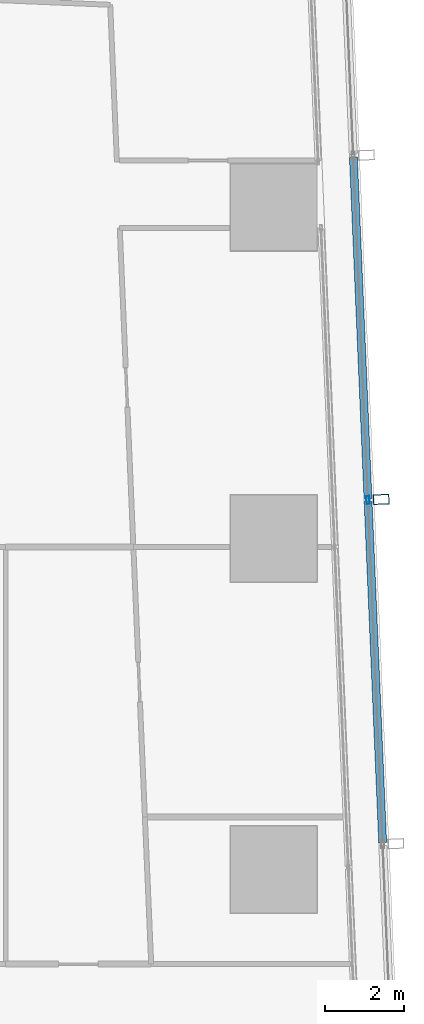
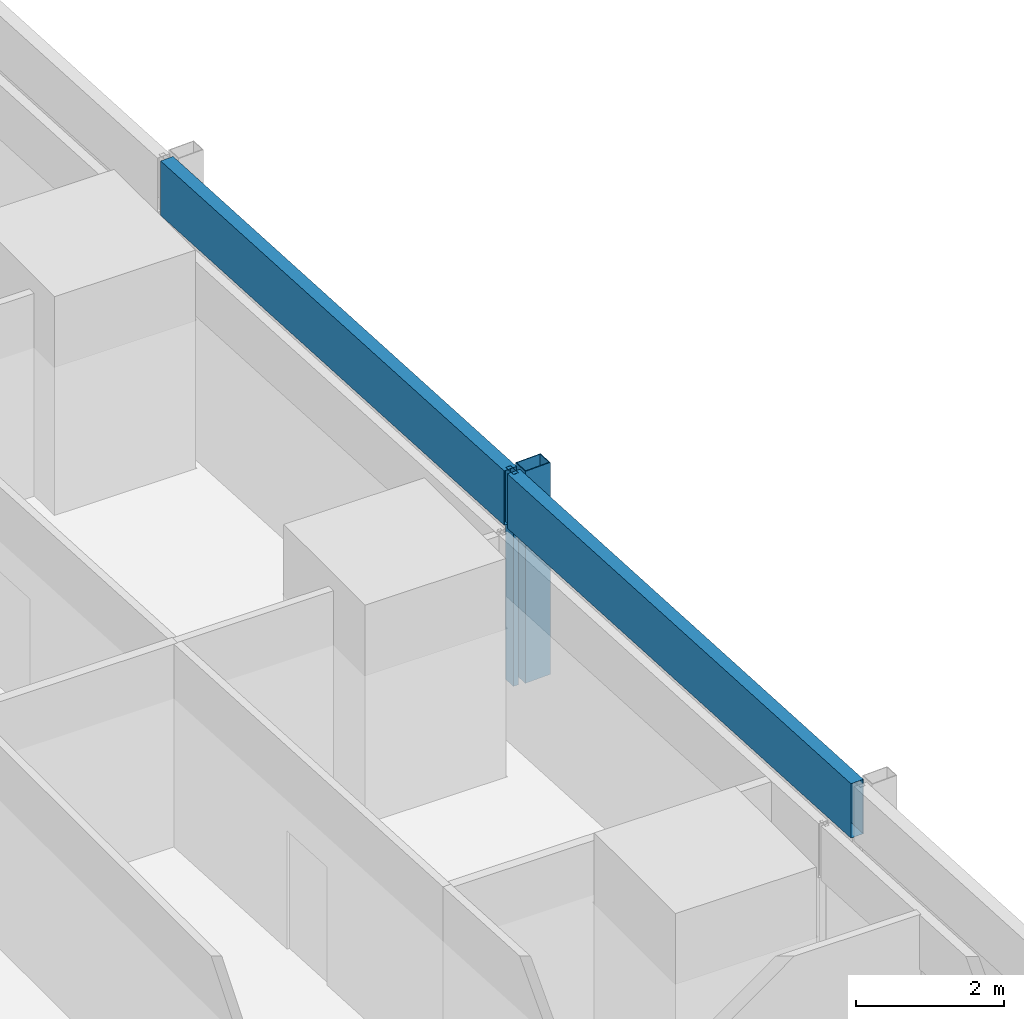
# One storey, part 28 of 44: 4 members, 1 element without a shape of its own.
"""IFC4 building model written with IfcOpenShell, lengths in metres."""

from ifc_helpers import new_model, si_unit, direction, frame, origin, origin_2d, place, context, subcontext, project, spatial, hollow_rectangle, extrude, material, material_profile, profile_set, type_object, element, aggregate, save


model = new_model("IFC4")

# Units and contexts
model_context = context("Model", 3, precision=1e-05, world=origin(), true_north=direction((0.0, 1.0)))
body_context = subcontext(model_context, "Body", "Model", "MODEL_VIEW")
ifc_project = project(units=[si_unit("LENGTHUNIT", "METRE"), si_unit("AREAUNIT", "SQUARE_METRE"), si_unit("VOLUMEUNIT", "CUBIC_METRE"), si_unit("PLANEANGLEUNIT", "RADIAN"), si_unit("MASSUNIT", "GRAM", prefix="KILO")], contexts=[model_context])

# Site, building, storey
site_placement = place(None, origin())
site = spatial("IfcSite", under=ifc_project, at=site_placement, CompositionType="ELEMENT")
building_placement = place(site_placement, origin())
building = spatial("IfcBuilding", under=site, at=building_placement, Name="Rekha Terrace Tower", CompositionType="ELEMENT")
storey_placement = place(building_placement, frame((0.0, 0.0, 59.14990234375)))
storey = spatial("IfcBuildingStorey", under=building, at=storey_placement, Name="L14", CompositionType="ELEMENT", Elevation=59.14990234375)

# Curtain wall, members
ifc_material_1 = material(Name="Aluminium framing", Category="aluminium")
curtain_wall_type = type_object("IfcCurtainWallType", Name="CW2 double skin outer glazing", PredefinedType="USERDEFINED", material=ifc_material_1)
curtain_wall_placement = place(storey_placement, origin())
curtain_wall = element("IfcCurtainWall", 1, at=curtain_wall_placement, inside=storey, type_object=curtain_wall_type, Name="CW2 double skin outer glazing", ObjectType="DOUBLE SKIN OUTER GLAZING", PredefinedType="USERDEFINED")
ifc_material_2 = material(Name="Steel S355 with fluorocarbon finish", Category="steel")
ifc_material_profile_1 = material_profile(ifc_material_2, hollow_rectangle(XDim=0.25, YDim=0.39990234375, WallThickness=0.012451171875, at=origin_2d()), Name="RHS400x250x12.5")
ifc_profile_set_1 = profile_set([ifc_material_profile_1], Name="Steel S355 with fluorocarbon finish")
member_type_1 = type_object("IfcMemberType", Name="BL1 facade blade RHS 400 x 250", PredefinedType="USERDEFINED", material=ifc_profile_set_1)
member_1_placement = place(storey_placement, frame((69.927734375, 42.989013671875, 0.0), z_axis=(0.0, 0.0, 1.0), x_axis=(-0.04269522475, 0.99908814315, 0.0)))
member_1 = element("IfcMember", 2, at=member_1_placement, type_object=member_type_1, Name="Facade blade", ObjectType="FACADE BLADE", PredefinedType="USERDEFINED", context=body_context, shape_type="SweptSolid", body=[
    extrude(hollow_rectangle(XDim=0.25, YDim=0.39990234375, WallThickness=0.012451171875, at=origin_2d()), origin(), (0.0, 0.0, 1.0), 3.5),
])
ifc_material_3 = material(Name="Aluminium mullion section", Category="aluminium")
ifc_material_profile_2 = material_profile(ifc_material_3, hollow_rectangle(XDim=0.080078125, YDim=0.199951171875, WallThickness=0.00390625, at=origin_2d()), Name="AL RHS 80x200")
ifc_profile_set_2 = profile_set([ifc_material_profile_2], Name="Aluminium mullion section")
member_type_2 = type_object("IfcMemberType", Name="CW2 mullion RHS 80 x 200", PredefinedType="MULLION", material=ifc_profile_set_2)
member_2_placement = place(storey_placement, frame((69.593017578125, 42.974609375, 0.0), z_axis=(0.0, 0.0, 1.0), x_axis=(-0.999088106903, -0.042696072956, 0.0)))
member_2 = element("IfcMember", 3, at=member_2_placement, type_object=member_type_2, Name="CW2 mullion 3", PredefinedType="MULLION", context=body_context, shape_type="SweptSolid", body=[
    extrude(hollow_rectangle(XDim=0.080078125, YDim=0.199951171875, WallThickness=0.00390625, at=origin_2d()), origin(), (0.0, 0.0, 1.0), 3.5),
])
ifc_material_4 = material(Name="Insulated aluminium spandrel box", Category="aluminium")
ifc_material_profile_3 = material_profile(ifc_material_4, hollow_rectangle(XDim=0.199951171875, YDim=0.89990234375, WallThickness=0.0029296875, at=origin_2d()), Name="AL SPANDREL BOX 200x900")
ifc_profile_set_3 = profile_set([ifc_material_profile_3], Name="Insulated aluminium spandrel box")
member_type_3 = type_object("IfcMemberType", Name="CW2 spandrel transom 200 x 900", PredefinedType="USERDEFINED", material=ifc_profile_set_3)
member_3_placement = place(storey_placement, frame((69.964599609375, 34.27880859375, 3.050048828125), z_axis=(-0.042692466729, 0.999088261008, 0.0), x_axis=(-0.999088261008, -0.042692466729, 0.0)))
member_3 = element("IfcMember", 4, at=member_3_placement, type_object=member_type_3, Name="CW2 spandrel transom 2", ObjectType="TRANSOM", PredefinedType="USERDEFINED", context=body_context, shape_type="SweptSolid", body=[
    extrude(hollow_rectangle(XDim=0.199951171875, YDim=0.89990234375, WallThickness=0.0029296875, at=origin_2d()), origin(), (0.0, 0.0, 1.0), 8.66357421875),
])
member_4_placement = place(storey_placement, frame((69.59130859375, 43.014404296875, 3.050048828125), z_axis=(-0.042691264793, 0.999088312368, 0.0), x_axis=(-0.999088312368, -0.042691264793, 0.0)))
member_4 = element("IfcMember", 5, at=member_4_placement, type_object=member_type_3, Name="CW2 spandrel transom 3", ObjectType="TRANSOM", PredefinedType="USERDEFINED", context=body_context, shape_type="SweptSolid", body=[
    extrude(hollow_rectangle(XDim=0.199951171875, YDim=0.89990234375, WallThickness=0.0029296875, at=origin_2d()), origin(), (0.0, 0.0, 1.0), 8.663818359375),
])
aggregate(curtain_wall, [member_2, member_3, member_4, member_1])

save(model, "model.ifc")
